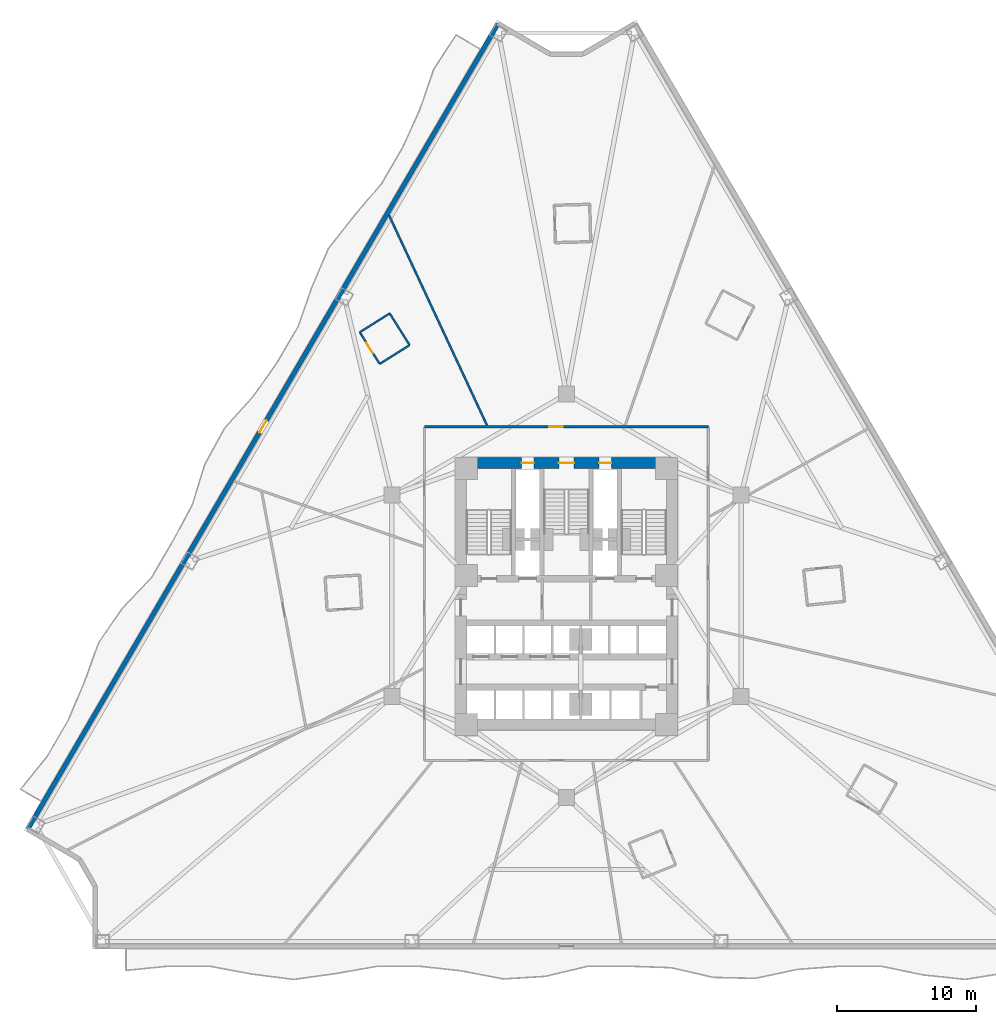
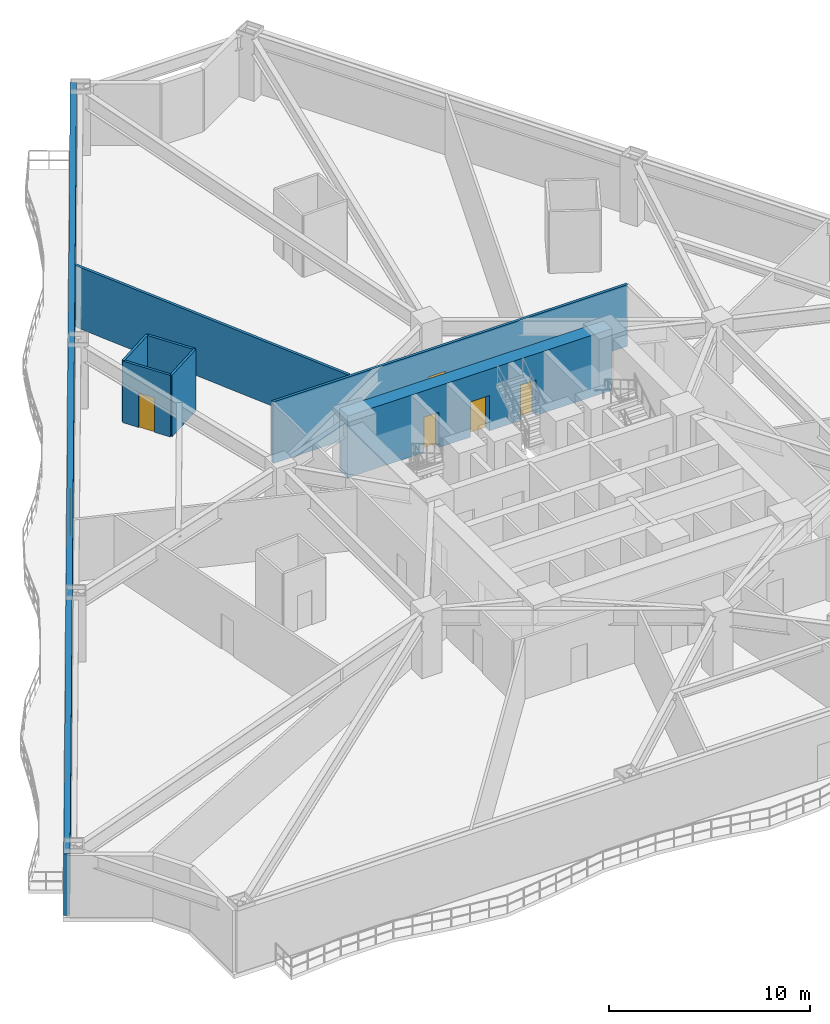
# One storey, part 6 of 11: 8 walls, 6 doors, 6 openings.
"""IFC4 building model written with IfcOpenShell, lengths in metres."""

from ifc_helpers import new_model, si_unit, direction, frame, frame_2d, origin, place, context, subcontext, project, spatial, rectangle, extrude, material, layer, layer_set, type_object, element, fill, save


model = new_model("IFC4")

# Units and contexts
model_context = context("Model", 3, precision=1e-05, world=origin(), true_north=direction((0.0, 1.0)))
body_context = subcontext(model_context, "Body", "Model", "MODEL_VIEW")
ifc_project = project(units=[si_unit("LENGTHUNIT", "METRE"), si_unit("AREAUNIT", "SQUARE_METRE"), si_unit("VOLUMEUNIT", "CUBIC_METRE"), si_unit("PLANEANGLEUNIT", "RADIAN"), si_unit("MASSUNIT", "GRAM", prefix="KILO")], contexts=[model_context])

# Site, building, storey
site_placement = place(None, origin())
site = spatial("IfcSite", under=ifc_project, at=site_placement, CompositionType="ELEMENT")
building_placement = place(site_placement, origin())
building = spatial("IfcBuilding", under=site, at=building_placement, Name="Apsidion Concourse Tower", CompositionType="ELEMENT")
storey_placement = place(building_placement, frame((0.0, 0.0, 46.39990234375)))
storey = spatial("IfcBuildingStorey", under=building, at=storey_placement, Name="L09", CompositionType="ELEMENT", Elevation=46.39990234375)

# Wall, opening, door
ifc_material_1 = material(Name="Precast concrete C40/50", Category="concrete")
ifc_layer_1 = layer(ifc_material_1, 0.320068359375)
ifc_layer_set_1 = layer_set([ifc_layer_1], Name="Precast concrete C40/50")
wall_type_1 = type_object("IfcWallType", Name="WL-EXT-320", PredefinedType="STANDARD", material=ifc_layer_set_1)
wall_1_placement = place(storey_placement, frame((-38.725830078125, -16.7734375, 0.0), z_axis=(0.0, 0.0, 1.0), x_axis=(0.504213113214, 0.863579258935, 0.0)))
wall_1 = element("IfcWall", 1, at=wall_1_placement, inside=storey, type_object=wall_type_1, Name="L09 Precast Stone Facade Wall 09", PredefinedType="STANDARD", context=body_context, shape_type="SweptSolid", body=[
    extrude(rectangle(XDim=67.041015625, YDim=0.320068359375, at=frame_2d((33.5205078125, 0.0))), origin(), (0.0, 0.0, 1.0), 3.75),
])
opening_1_placement = place(wall_1_placement, frame((33.0205078125, 0.0, 0.0)))
opening_1 = element("IfcOpeningElement", 2, at=opening_1_placement, cuts=wall_1, Name="Opening D-T1R", PredefinedType="OPENING", context=body_context, shape_type="SweptSolid", body=[
    extrude(rectangle(XDim=1.0, YDim=2.14990234375, at=frame_2d((0.5, 1.074951171875))), frame((0.0, 0.169921875, 0.0), z_axis=(0.0, -1.0, 0.0), x_axis=(1.0, 0.0, 0.0)), (0.0, 0.0, 1.0), 0.340087890625),
])
ifc_material_2 = material(Name="Anodised aluminium EN AW-6063 T6", Category="aluminium")
door_type_1 = type_object("IfcDoorType", Name="DR-TER-1022R", OperationType="SINGLE_SWING_RIGHT", PredefinedType="DOOR", material=ifc_material_2)
door_1_placement = place(opening_1_placement, origin())
door_1 = element("IfcDoor", 3, at=door_1_placement, inside=storey, type_object=door_type_1, Name="L09 Balcony Access Door 1", OperationType="SINGLE_SWING_RIGHT", OverallHeight=2.14990234375, OverallWidth=1.0, PredefinedType="DOOR", context=body_context, shape_type="SweptSolid", body=[
    extrude(rectangle(XDim=1.0, YDim=2.14990234375, at=frame_2d((0.5, 1.074951171875))), frame((0.0, 0.02490234375, 0.0), z_axis=(0.0, -1.0, 0.0), x_axis=(1.0, 0.0, 0.0)), (0.0, 0.0, 1.0), 0.050048828125),
])
fill(opening_1, door_1)

# Walls
ifc_material_3 = material(Name="Gypsum plasterboard partition")
ifc_layer_2 = layer(ifc_material_3, 0.139892578125)
ifc_layer_set_2 = layer_set([ifc_layer_2], Name="Gypsum plasterboard partition")
wall_type_2 = type_object("IfcWallType", Name="WL-INT-PAR-140", PredefinedType="PARTITIONING", material=ifc_layer_set_2)
wall_2_placement = place(storey_placement, frame((-11.276611328125, 18.022705078125, 0.0), z_axis=(0.0, 0.0, 1.0), x_axis=(-0.532899918794, 0.846178277049, 0.0)))
element("IfcWall", 4, at=wall_2_placement, inside=storey, type_object=wall_type_2, Name="L09 Interior Partition WL-L09-POD-ENS09-S1", PredefinedType="PARTITIONING", context=body_context, shape_type="SweptSolid", body=[
    extrude(rectangle(XDim=2.690185546875, YDim=0.139892578125, at=frame_2d((1.34521484375, 0.0))), origin(), (0.0, 0.0, 1.0), 3.75),
])
wall_3_placement = place(storey_placement, frame((-12.710205078125, 20.299072265625, 0.0), z_axis=(0.0, 0.0, 1.0), x_axis=(-0.846173442339, -0.53290759563, 0.0)))
element("IfcWall", 5, at=wall_3_placement, inside=storey, type_object=wall_type_2, Name="L09 Interior Partition WL-L09-POD-ENS09-S2", PredefinedType="PARTITIONING", context=body_context, shape_type="SweptSolid", body=[
    extrude(rectangle(XDim=2.539794921875, YDim=0.139892578125, at=frame_2d((1.27001953125, 0.0))), origin(), (0.0, 0.0, 1.0), 3.75),
])

# Wall, opening, door
wall_4_placement = place(storey_placement, frame((-14.859375, 18.945556640625, 0.0), z_axis=(0.0, 0.0, 1.0), x_axis=(0.532834933534, -0.846219199502, 0.0)))
wall_4 = element("IfcWall", 6, at=wall_4_placement, inside=storey, type_object=wall_type_2, Name="L09 Interior Partition WL-L09-POD-ENS09-S3", PredefinedType="PARTITIONING", context=body_context, shape_type="SweptSolid", body=[
    extrude(rectangle(XDim=2.68994140625, YDim=0.139892578125, at=frame_2d((1.344970703125, 0.0))), origin(), (0.0, 0.0, 1.0), 3.75),
])
opening_2_placement = place(wall_4_placement, frame((0.905029296875, 0.0, 0.0)))
opening_2 = element("IfcOpeningElement", 7, at=opening_2_placement, cuts=wall_4, Name="Opening D-03R", PredefinedType="OPENING", context=body_context, shape_type="SweptSolid", body=[
    extrude(rectangle(XDim=0.8798828125, YDim=2.10009765625, at=frame_2d((0.43994140625, 1.050048828125))), frame((0.0, 0.080078125, 0.0), z_axis=(0.0, -1.0, 0.0), x_axis=(1.0, 0.0, 0.0)), (0.0, 0.0, 1.0), 0.159912109375),
])
door_type_2 = type_object("IfcDoorType", Name="DR-INT-D03R", OperationType="SINGLE_SWING_RIGHT", PredefinedType="DOOR", material=ifc_material_2)
door_2_placement = place(opening_2_placement, origin())
door_2 = element("IfcDoor", 8, at=door_2_placement, inside=storey, type_object=door_type_2, Name="L09 Guest En-Suite Bathroom Door ENS09", OperationType="SINGLE_SWING_RIGHT", OverallHeight=2.10009765625, OverallWidth=0.8798828125, PredefinedType="DOOR", context=body_context, shape_type="SweptSolid", body=[
    extrude(rectangle(XDim=0.8798828125, YDim=2.10009765625, at=frame_2d((0.43994140625, 1.050048828125))), frame((0.0, 0.02490234375, 0.0), z_axis=(0.0, -1.0, 0.0), x_axis=(1.0, 0.0, 0.0)), (0.0, 0.0, 1.0), 0.050048828125),
])
fill(opening_2, door_2)

# Wall
wall_5_placement = place(storey_placement, frame((-13.426025390625, 16.669189453125, 0.0), z_axis=(0.0, 0.0, 1.0), x_axis=(0.846200737115, 0.532864253358, 0.0)))
element("IfcWall", 9, at=wall_5_placement, inside=storey, type_object=wall_type_2, Name="L09 Interior Partition WL-L09-POD-ENS09-S4", PredefinedType="PARTITIONING", context=body_context, shape_type="SweptSolid", body=[
    extrude(rectangle(XDim=2.5400390625, YDim=0.139892578125, at=frame_2d((1.27001953125, 0.0))), origin(), (0.0, 0.0, 1.0), 3.75),
])

# Wall, opening, door
ifc_layer_3 = layer(ifc_material_3, 0.14990234375)
ifc_layer_set_3 = layer_set([ifc_layer_3], Name="Gypsum plasterboard partition")
wall_type_3 = type_object("IfcWallType", Name="WL-INT-PAR-150", PredefinedType="PARTITIONING", material=ifc_layer_set_3)
wall_6_placement = place(storey_placement, frame((-10.199951171875, 12.14990234375, 0.0), z_axis=(0.0, 0.0, 1.0), x_axis=(1.0, 0.0, 0.0)))
wall_6 = element("IfcWall", 10, at=wall_6_placement, inside=storey, type_object=wall_type_3, Name="L09 Interior Partition WL-L09-CORR-01", PredefinedType="PARTITIONING", context=body_context, shape_type="SweptSolid", body=[
    extrude(rectangle(XDim=20.39990234375, YDim=0.14990234375, at=frame_2d((10.199951171875, 0.0))), origin(), (0.0, 0.0, 1.0), 3.75),
])
opening_3_placement = place(wall_6_placement, frame((8.978515625, 0.0, 0.0)))
opening_3 = element("IfcOpeningElement", 11, at=opening_3_placement, cuts=wall_6, Name="Opening D-01L", PredefinedType="OPENING", context=body_context, shape_type="SweptSolid", body=[
    extrude(rectangle(XDim=0.949951171875, YDim=2.14990234375, at=frame_2d((0.47509765625, 1.074951171875))), frame((0.0, 0.0849609375, 0.0), z_axis=(0.0, -1.0, 0.0), x_axis=(1.0, 0.0, 0.0)), (0.0, 0.0, 1.0), 0.169921875),
])
ifc_material_4 = material(Name="Brushed stainless steel 316", Category="steel")
door_type_3 = type_object("IfcDoorType", Name="DR-INT-D01L", OperationType="SINGLE_SWING_LEFT", PredefinedType="DOOR", material=ifc_material_4)
door_3_placement = place(opening_3_placement, origin())
door_3 = element("IfcDoor", 12, at=door_3_placement, inside=storey, type_object=door_type_3, Name="L09 Corridor Entry Door 09", OperationType="SINGLE_SWING_LEFT", OverallHeight=2.14990234375, OverallWidth=0.949951171875, PredefinedType="DOOR", context=body_context, shape_type="SweptSolid", body=[
    extrude(rectangle(XDim=0.949951171875, YDim=2.14990234375, at=frame_2d((0.47509765625, 1.074951171875))), frame((0.0, 0.02490234375, 0.0), z_axis=(0.0, -1.0, 0.0), x_axis=(1.0, 0.0, 0.0)), (0.0, 0.0, 1.0), 0.050048828125),
])
fill(opening_3, door_3)

# Wall
wall_7_placement = place(storey_placement, frame((-5.714599609375, 12.2548828125, 0.0), z_axis=(0.0, 0.0, 1.0), x_axis=(-0.422614345426, 0.906309613234, 0.0)))
element("IfcWall", 13, at=wall_7_placement, inside=storey, type_object=wall_type_3, Name="L09 Interior Partition WL-L09-RAD-03-1", PredefinedType="PARTITIONING", context=body_context, shape_type="SweptSolid", body=[
    extrude(rectangle(XDim=16.66357421875, YDim=0.14990234375, at=frame_2d((8.331787109375, 0.0))), origin(), (0.0, 0.0, 1.0), 3.75),
])

# Wall, openings, doors
ifc_material_5 = material(Name="Concrete C60/75", Category="concrete")
ifc_layer_4 = layer(ifc_material_5, 0.800048828125)
ifc_layer_set_4 = layer_set([ifc_layer_4], Name="Concrete C60/75")
wall_type_4 = type_object("IfcWallType", Name="WL-SH-800", PredefinedType="SHEAR", material=ifc_layer_set_4)
wall_8_placement = place(storey_placement, frame((-7.60009765625, 9.550048828125, 0.0), z_axis=(0.0, 0.0, 1.0), x_axis=(1.0, 0.0, 0.0)))
wall_8 = element("IfcWall", 14, at=wall_8_placement, inside=storey, type_object=wall_type_4, Name="L09 Central Core Shear Wall N", PredefinedType="SHEAR", context=body_context, shape_type="SweptSolid", body=[
    extrude(rectangle(XDim=15.2001953125, YDim=0.800048828125, at=frame_2d((7.60009765625, 0.0))), origin(), (0.0, 0.0, 1.0), 3.75),
])
opening_4_placement = place(wall_8_placement, frame((7.050048828125, 0.0, 0.0)))
opening_4 = element("IfcOpeningElement", 15, at=opening_4_placement, cuts=wall_8, Name="Opening D-STL", PredefinedType="OPENING", context=body_context, shape_type="SweptSolid", body=[
    extrude(rectangle(XDim=1.10009765625, YDim=2.14990234375, at=frame_2d((0.550048828125, 1.074951171875))), frame((0.0, 0.41015625, 0.0), z_axis=(0.0, -1.0, 0.0), x_axis=(1.0, 0.0, 0.0)), (0.0, 0.0, 1.0), 0.820068359375),
])
opening_5_placement = place(wall_8_placement, frame((4.3798828125, 0.0, 0.0)))
opening_5 = element("IfcOpeningElement", 16, at=opening_5_placement, cuts=wall_8, Name="Opening D-05L", PredefinedType="OPENING", context=body_context, shape_type="SweptSolid", body=[
    extrude(rectangle(XDim=0.8798828125, YDim=2.14990234375, at=frame_2d((0.43994140625, 1.074951171875))), frame((0.0, 0.41015625, 0.0), z_axis=(0.0, -1.0, 0.0), x_axis=(1.0, 0.0, 0.0)), (0.0, 0.0, 1.0), 0.820068359375),
])
opening_6_placement = place(wall_8_placement, frame((9.93994140625, 0.0, 0.0)))
opening_6 = element("IfcOpeningElement", 17, at=opening_6_placement, cuts=wall_8, Name="Opening D-05R", PredefinedType="OPENING", context=body_context, shape_type="SweptSolid", body=[
    extrude(rectangle(XDim=0.8798828125, YDim=2.14990234375, at=frame_2d((0.43994140625, 1.074951171875))), frame((0.0, 0.41015625, 0.0), z_axis=(0.0, -1.0, 0.0), x_axis=(1.0, 0.0, 0.0)), (0.0, 0.0, 1.0), 0.820068359375),
])
door_type_4 = type_object("IfcDoorType", Name="DR-INT-D05L", OperationType="SINGLE_SWING_LEFT", PredefinedType="DOOR", material=ifc_material_4)
door_4_placement = place(opening_5_placement, origin())
door_4 = element("IfcDoor", 18, at=door_4_placement, inside=storey, type_object=door_type_4, Name="L09 Electrical Riser Shaft Access Door", OperationType="SINGLE_SWING_LEFT", OverallHeight=2.14990234375, OverallWidth=0.8798828125, PredefinedType="DOOR", context=body_context, shape_type="SweptSolid", body=[
    extrude(rectangle(XDim=0.8798828125, YDim=2.14990234375, at=frame_2d((0.43994140625, 1.074951171875))), frame((0.0, 0.02490234375, 0.0), z_axis=(0.0, -1.0, 0.0), x_axis=(1.0, 0.0, 0.0)), (0.0, 0.0, 1.0), 0.050048828125),
])
fill(opening_5, door_4)
door_type_5 = type_object("IfcDoorType", Name="DR-INT-D05R", OperationType="SINGLE_SWING_RIGHT", PredefinedType="DOOR", material=ifc_material_4)
door_5_placement = place(opening_6_placement, origin())
door_5 = element("IfcDoor", 19, at=door_5_placement, inside=storey, type_object=door_type_5, Name="L09 Mechanical Riser Shaft Access Door", OperationType="SINGLE_SWING_RIGHT", OverallHeight=2.14990234375, OverallWidth=0.8798828125, PredefinedType="DOOR", context=body_context, shape_type="SweptSolid", body=[
    extrude(rectangle(XDim=0.8798828125, YDim=2.14990234375, at=frame_2d((0.43994140625, 1.074951171875))), frame((0.0, 0.02490234375, 0.0), z_axis=(0.0, -1.0, 0.0), x_axis=(1.0, 0.0, 0.0)), (0.0, 0.0, 1.0), 0.050048828125),
])
fill(opening_6, door_5)
door_type_6 = type_object("IfcDoorType", Name="DR-INT-ST1L", OperationType="SINGLE_SWING_LEFT", PredefinedType="DOOR", material=ifc_material_4)
door_6_placement = place(opening_4_placement, origin())
door_6 = element("IfcDoor", 20, at=door_6_placement, inside=storey, type_object=door_type_6, Name="L09 Core Exit Stair ST3 Door", OperationType="SINGLE_SWING_LEFT", OverallHeight=2.14990234375, OverallWidth=1.10009765625, PredefinedType="DOOR", context=body_context, shape_type="SweptSolid", body=[
    extrude(rectangle(XDim=1.10009765625, YDim=2.14990234375, at=frame_2d((0.550048828125, 1.074951171875))), frame((0.0, 0.02490234375, 0.0), z_axis=(0.0, -1.0, 0.0), x_axis=(1.0, 0.0, 0.0)), (0.0, 0.0, 1.0), 0.050048828125),
])
fill(opening_4, door_6)

save(model, "model.ifc")
